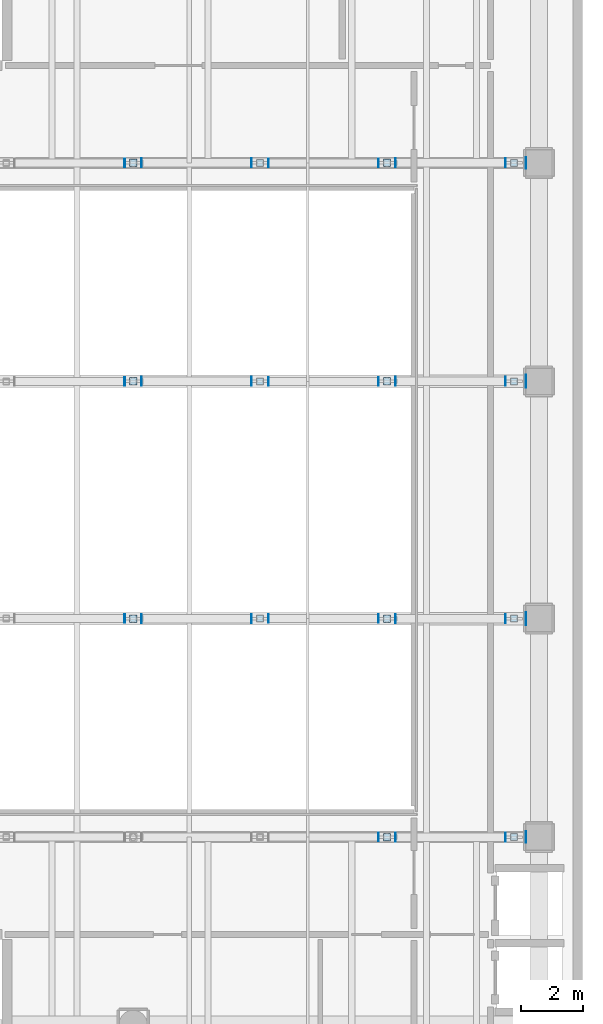
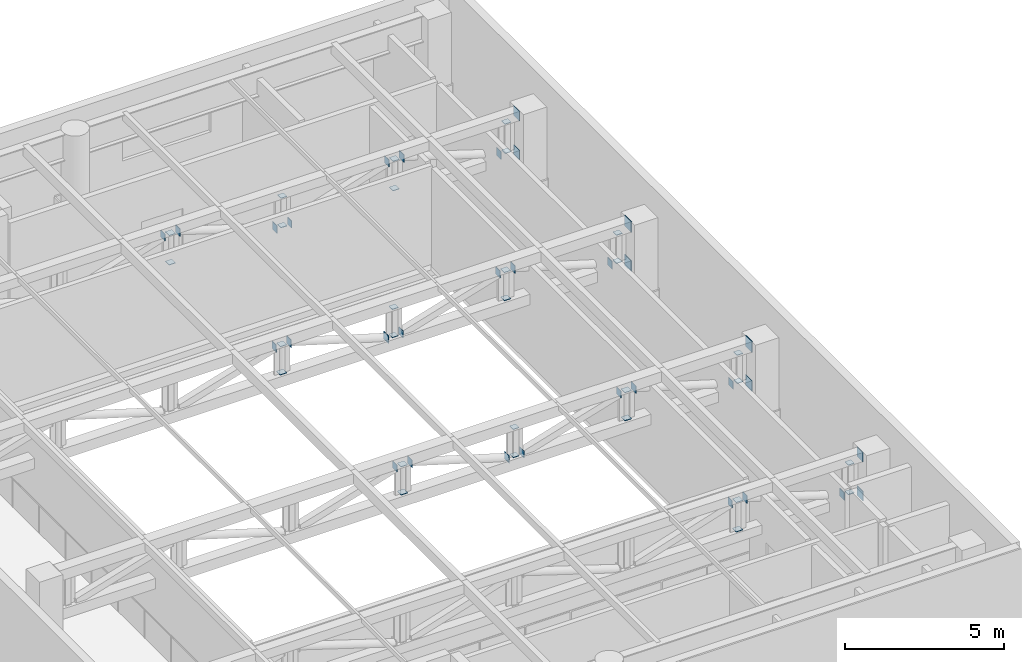
# One storey, part 17 of 25: 60 plates.
"""IFC4 building model written with IfcOpenShell, lengths in metres."""

from ifc_helpers import new_model, si_unit, direction, frame, origin, origin_2d, place, context, subcontext, project, spatial, rectangle, extrude, material, layer, layer_set, type_object, element, save


model = new_model("IFC4")

# Units and contexts
model_context = context("Model", 3, precision=1e-05, world=origin(), true_north=direction((0.0, 1.0)))
body_context = subcontext(model_context, "Body", "Model", "MODEL_VIEW")
ifc_project = project(units=[si_unit("LENGTHUNIT", "METRE"), si_unit("AREAUNIT", "SQUARE_METRE"), si_unit("VOLUMEUNIT", "CUBIC_METRE"), si_unit("PLANEANGLEUNIT", "RADIAN"), si_unit("MASSUNIT", "GRAM", prefix="KILO")], contexts=[model_context])

# Site, building, storey
site_placement = place(None, origin())
site = spatial("IfcSite", under=ifc_project, at=site_placement, CompositionType="ELEMENT")
building_placement = place(site_placement, origin())
building = spatial("IfcBuilding", under=site, at=building_placement, Name="Solanera Arch Residences", CompositionType="ELEMENT")
storey_placement = place(building_placement, frame((0.0, 0.0, 17.800048828125)))
storey = spatial("IfcBuildingStorey", under=building, at=storey_placement, Name="L04", CompositionType="ELEMENT", Elevation=17.800048828125)

# Plates
ifc_material = material(Name="Steel S355 (ASTM A992 / A572 Grade 50)", Category="steel")
ifc_layer = layer(ifc_material, 0.02001953125)
ifc_layer_set = layer_set([ifc_layer], Name="Steel S355 (ASTM A992 / A572 Grade 50)")
plate_type = type_object("IfcPlateType", Name="End Cap Plate EC-20", PredefinedType="USERDEFINED", material=ifc_layer_set)
for number, where, z_axis, x_axis, name in (
    (1, (81.385009765625, 19.800048828125, 3.81494140625), (0.0, 0.0, 1.0), (1.0, 0.0, 0.0), "Hollow Section End Cap 2"),
    (2, (81.385009765625, 19.800048828125, 2.31494140625), (0.0, 0.0, 1.0), (1.0, 0.0, 0.0), "Hollow Section End Cap 4"),
):
    element("IfcPlate", number, at=place(storey_placement, frame(where, z_axis=z_axis, x_axis=x_axis)), inside=storey, type_object=plate_type, Name=name, ObjectType="STIFFENER", PredefinedType="USERDEFINED", context=body_context, shape_type="SweptSolid", body=[
        extrude(rectangle(XDim=0.02001953125, YDim=0.3701171875, at=origin_2d()), origin(), (0.0, 0.0, 1.0), 0.3701171875),
    ])
plate_1_placement = place(storey_placement, frame((76.6630859375, 19.800048828125, 3.6728515625), z_axis=(0.0, 0.0, 1.0), x_axis=(1.0, 0.0, 0.0)))
element("IfcPlate", 3, at=plate_1_placement, inside=storey, type_object=plate_type, Name="Hollow Section End Cap 24", ObjectType="STIFFENER", PredefinedType="USERDEFINED", context=body_context, shape_type="SweptSolid", body=[
    extrude(rectangle(XDim=0.02001953125, YDim=0.27001953125, at=origin_2d()), origin(), (0.0, 0.0, 1.0), 0.27001953125),
])
for number, where, z_axis, x_axis, name in (
    (4, (76.93310546875, 19.800048828125, 2.675048828125), (0.0, 0.0, 1.0), (1.0, 0.0, 0.0), "Hollow Section End Cap 25"),
    (5, (76.93310546875, 19.800048828125, 3.804931640625), (0.0, 0.0, 1.0), (1.0, 0.0, 0.0), "Hollow Section End Cap 26"),
):
    element("IfcPlate", number, at=place(storey_placement, frame(where, z_axis=z_axis, x_axis=x_axis)), inside=storey, type_object=plate_type, Name=name, ObjectType="STIFFENER", PredefinedType="USERDEFINED", context=body_context, shape_type="SweptSolid", body=[
        extrude(rectangle(XDim=0.239013671875, YDim=0.239013671875, at=origin_2d()), origin(), (0.0, 0.0, 1.0), 0.02001953125),
    ])
for number, where, z_axis, x_axis, name in (
    (6, (77.202880859375, 19.800048828125, 3.661376953125), (0.0, 0.0, 1.0), (-1.0, 0.0, 0.0), "Hollow Section End Cap 27"),
    (7, (80.72998046875, 19.800048828125, 2.54541015625), (0.0, 0.0, 1.0), (1.0, 0.0, 0.0), "Hollow Section End Cap 28"),
):
    element("IfcPlate", number, at=place(storey_placement, frame(where, z_axis=z_axis, x_axis=x_axis)), inside=storey, type_object=plate_type, Name=name, ObjectType="STIFFENER", PredefinedType="USERDEFINED", context=body_context, shape_type="SweptSolid", body=[
        extrude(rectangle(XDim=0.02001953125, YDim=0.29296875, at=origin_2d()), origin(), (0.0, 0.0, 1.0), 0.29296875),
    ])
for number, where, z_axis, x_axis, name in (
    (8, (81.0, 19.800048828125, 2.675048828125), (0.0, 0.0, 1.0), (1.0, 0.0, 0.0), "Hollow Section End Cap 29"),
    (9, (81.0, 19.800048828125, 3.804931640625), (0.0, 0.0, 1.0), (1.0, 0.0, 0.0), "Hollow Section End Cap 30"),
):
    element("IfcPlate", number, at=place(storey_placement, frame(where, z_axis=z_axis, x_axis=x_axis)), inside=storey, type_object=plate_type, Name=name, ObjectType="STIFFENER", PredefinedType="USERDEFINED", context=body_context, shape_type="SweptSolid", body=[
        extrude(rectangle(XDim=0.219970703125, YDim=0.219970703125, at=origin_2d()), origin(), (0.0, 0.0, 1.0), 0.02001953125),
    ])
for number, where, z_axis, x_axis, name in (
    (10, (81.385009765625, 26.800048828125, 3.7900390625), (0.0, 0.0, 1.0), (1.0, 0.0, 0.0), "Hollow Section End Cap 32"),
    (11, (81.385009765625, 26.800048828125, 2.2900390625), (0.0, 0.0, 1.0), (1.0, 0.0, 0.0), "Hollow Section End Cap 34"),
):
    element("IfcPlate", number, at=place(storey_placement, frame(where, z_axis=z_axis, x_axis=x_axis)), inside=storey, type_object=plate_type, Name=name, ObjectType="STIFFENER", PredefinedType="USERDEFINED", context=body_context, shape_type="SweptSolid", body=[
        extrude(rectangle(XDim=0.02001953125, YDim=0.419921875, at=origin_2d()), origin(), (0.0, 0.0, 1.0), 0.419921875),
    ])
plate_2_placement = place(storey_placement, frame((68.530029296875, 26.800048828125, 3.64794921875), z_axis=(0.0, 0.0, 1.0), x_axis=(1.0, 0.0, 0.0)))
element("IfcPlate", 12, at=plate_2_placement, inside=storey, type_object=plate_type, Name="Hollow Section End Cap 46", ObjectType="STIFFENER", PredefinedType="USERDEFINED", context=body_context, shape_type="SweptSolid", body=[
    extrude(rectangle(XDim=0.02001953125, YDim=0.27001953125, at=origin_2d()), origin(), (0.0, 0.0, 1.0), 0.27001953125),
])
for number, where, z_axis, x_axis, name in (
    (13, (68.800048828125, 26.800048828125, 2.699951171875), (0.0, 0.0, 1.0), (1.0, 0.0, 0.0), "Hollow Section End Cap 47"),
    (14, (68.800048828125, 26.800048828125, 3.780029296875), (0.0, 0.0, 1.0), (1.0, 0.0, 0.0), "Hollow Section End Cap 48"),
):
    element("IfcPlate", number, at=place(storey_placement, frame(where, z_axis=z_axis, x_axis=x_axis)), inside=storey, type_object=plate_type, Name=name, ObjectType="STIFFENER", PredefinedType="USERDEFINED", context=body_context, shape_type="SweptSolid", body=[
        extrude(rectangle(XDim=0.239013671875, YDim=0.239013671875, at=origin_2d()), origin(), (0.0, 0.0, 1.0), 0.02001953125),
    ])
for number, where, z_axis, x_axis, name in (
    (15, (69.070068359375, 26.800048828125, 3.636474609375), (0.0, 0.0, 1.0), (-1.0, 0.0, 0.0), "Hollow Section End Cap 49"),
    (16, (72.596923828125, 26.800048828125, 2.570556640625), (0.0, 0.0, 1.0), (1.0, 0.0, 0.0), "Hollow Section End Cap 50"),
):
    element("IfcPlate", number, at=place(storey_placement, frame(where, z_axis=z_axis, x_axis=x_axis)), inside=storey, type_object=plate_type, Name=name, ObjectType="STIFFENER", PredefinedType="USERDEFINED", context=body_context, shape_type="SweptSolid", body=[
        extrude(rectangle(XDim=0.02001953125, YDim=0.29296875, at=origin_2d()), origin(), (0.0, 0.0, 1.0), 0.29296875),
    ])
for number, where, z_axis, x_axis, name in (
    (17, (72.866943359375, 26.800048828125, 2.699951171875), (0.0, 0.0, 1.0), (1.0, 0.0, 0.0), "Hollow Section End Cap 51"),
    (18, (72.866943359375, 26.800048828125, 3.780029296875), (0.0, 0.0, 1.0), (1.0, 0.0, 0.0), "Hollow Section End Cap 52"),
):
    element("IfcPlate", number, at=place(storey_placement, frame(where, z_axis=z_axis, x_axis=x_axis)), inside=storey, type_object=plate_type, Name=name, ObjectType="STIFFENER", PredefinedType="USERDEFINED", context=body_context, shape_type="SweptSolid", body=[
        extrude(rectangle(XDim=0.219970703125, YDim=0.219970703125, at=origin_2d()), origin(), (0.0, 0.0, 1.0), 0.02001953125),
    ])
for number, where, z_axis, x_axis, name in (
    (19, (73.136962890625, 26.800048828125, 2.58203125), (0.0, 0.0, 1.0), (-1.0, 0.0, 0.0), "Hollow Section End Cap 53"),
    (20, (76.6630859375, 26.800048828125, 3.64794921875), (0.0, 0.0, 1.0), (1.0, 0.0, 0.0), "Hollow Section End Cap 54"),
):
    element("IfcPlate", number, at=place(storey_placement, frame(where, z_axis=z_axis, x_axis=x_axis)), inside=storey, type_object=plate_type, Name=name, ObjectType="STIFFENER", PredefinedType="USERDEFINED", context=body_context, shape_type="SweptSolid", body=[
        extrude(rectangle(XDim=0.02001953125, YDim=0.27001953125, at=origin_2d()), origin(), (0.0, 0.0, 1.0), 0.27001953125),
    ])
for number, where, z_axis, x_axis, name in (
    (21, (76.93310546875, 26.800048828125, 2.699951171875), (0.0, 0.0, 1.0), (1.0, 0.0, 0.0), "Hollow Section End Cap 55"),
    (22, (76.93310546875, 26.800048828125, 3.780029296875), (0.0, 0.0, 1.0), (1.0, 0.0, 0.0), "Hollow Section End Cap 56"),
):
    element("IfcPlate", number, at=place(storey_placement, frame(where, z_axis=z_axis, x_axis=x_axis)), inside=storey, type_object=plate_type, Name=name, ObjectType="STIFFENER", PredefinedType="USERDEFINED", context=body_context, shape_type="SweptSolid", body=[
        extrude(rectangle(XDim=0.239013671875, YDim=0.239013671875, at=origin_2d()), origin(), (0.0, 0.0, 1.0), 0.02001953125),
    ])
for number, where, z_axis, x_axis, name in (
    (23, (77.202880859375, 26.800048828125, 3.636474609375), (0.0, 0.0, 1.0), (-1.0, 0.0, 0.0), "Hollow Section End Cap 57"),
    (24, (80.72998046875, 26.800048828125, 2.570556640625), (0.0, 0.0, 1.0), (1.0, 0.0, 0.0), "Hollow Section End Cap 58"),
):
    element("IfcPlate", number, at=place(storey_placement, frame(where, z_axis=z_axis, x_axis=x_axis)), inside=storey, type_object=plate_type, Name=name, ObjectType="STIFFENER", PredefinedType="USERDEFINED", context=body_context, shape_type="SweptSolid", body=[
        extrude(rectangle(XDim=0.02001953125, YDim=0.29296875, at=origin_2d()), origin(), (0.0, 0.0, 1.0), 0.29296875),
    ])
for number, where, z_axis, x_axis, name in (
    (25, (81.0, 26.800048828125, 2.699951171875), (0.0, 0.0, 1.0), (1.0, 0.0, 0.0), "Hollow Section End Cap 59"),
    (26, (81.0, 26.800048828125, 3.780029296875), (0.0, 0.0, 1.0), (1.0, 0.0, 0.0), "Hollow Section End Cap 60"),
):
    element("IfcPlate", number, at=place(storey_placement, frame(where, z_axis=z_axis, x_axis=x_axis)), inside=storey, type_object=plate_type, Name=name, ObjectType="STIFFENER", PredefinedType="USERDEFINED", context=body_context, shape_type="SweptSolid", body=[
        extrude(rectangle(XDim=0.219970703125, YDim=0.219970703125, at=origin_2d()), origin(), (0.0, 0.0, 1.0), 0.02001953125),
    ])
for number, where, z_axis, x_axis, name in (
    (27, (81.385009765625, 34.39990234375, 3.7900390625), (0.0, 0.0, 1.0), (1.0, 0.0, 0.0), "Hollow Section End Cap 62"),
    (28, (81.385009765625, 34.39990234375, 2.2900390625), (0.0, 0.0, 1.0), (1.0, 0.0, 0.0), "Hollow Section End Cap 64"),
):
    element("IfcPlate", number, at=place(storey_placement, frame(where, z_axis=z_axis, x_axis=x_axis)), inside=storey, type_object=plate_type, Name=name, ObjectType="STIFFENER", PredefinedType="USERDEFINED", context=body_context, shape_type="SweptSolid", body=[
        extrude(rectangle(XDim=0.02001953125, YDim=0.419921875, at=origin_2d()), origin(), (0.0, 0.0, 1.0), 0.419921875),
    ])
plate_3_placement = place(storey_placement, frame((68.530029296875, 34.39990234375, 3.64794921875), z_axis=(0.0, 0.0, 1.0), x_axis=(1.0, 0.0, 0.0)))
element("IfcPlate", 29, at=plate_3_placement, inside=storey, type_object=plate_type, Name="Hollow Section End Cap 76", ObjectType="STIFFENER", PredefinedType="USERDEFINED", context=body_context, shape_type="SweptSolid", body=[
    extrude(rectangle(XDim=0.02001953125, YDim=0.27001953125, at=origin_2d()), origin(), (0.0, 0.0, 1.0), 0.27001953125),
])
for number, where, z_axis, x_axis, name in (
    (30, (68.800048828125, 34.39990234375, 2.699951171875), (0.0, 0.0, 1.0), (1.0, 0.0, 0.0), "Hollow Section End Cap 77"),
    (31, (68.800048828125, 34.39990234375, 3.780029296875), (0.0, 0.0, 1.0), (1.0, 0.0, 0.0), "Hollow Section End Cap 78"),
):
    element("IfcPlate", number, at=place(storey_placement, frame(where, z_axis=z_axis, x_axis=x_axis)), inside=storey, type_object=plate_type, Name=name, ObjectType="STIFFENER", PredefinedType="USERDEFINED", context=body_context, shape_type="SweptSolid", body=[
        extrude(rectangle(XDim=0.239013671875, YDim=0.239013671875, at=origin_2d()), origin(), (0.0, 0.0, 1.0), 0.02001953125),
    ])
for number, where, z_axis, x_axis, name in (
    (32, (69.070068359375, 34.39990234375, 3.636474609375), (0.0, 0.0, 1.0), (-1.0, 0.0, 0.0), "Hollow Section End Cap 79"),
    (33, (72.596923828125, 34.39990234375, 2.570556640625), (0.0, 0.0, 1.0), (1.0, 0.0, 0.0), "Hollow Section End Cap 80"),
):
    element("IfcPlate", number, at=place(storey_placement, frame(where, z_axis=z_axis, x_axis=x_axis)), inside=storey, type_object=plate_type, Name=name, ObjectType="STIFFENER", PredefinedType="USERDEFINED", context=body_context, shape_type="SweptSolid", body=[
        extrude(rectangle(XDim=0.02001953125, YDim=0.29296875, at=origin_2d()), origin(), (0.0, 0.0, 1.0), 0.29296875),
    ])
for number, where, z_axis, x_axis, name in (
    (34, (72.866943359375, 34.39990234375, 2.699951171875), (0.0, 0.0, 1.0), (1.0, 0.0, 0.0), "Hollow Section End Cap 81"),
    (35, (72.866943359375, 34.39990234375, 3.780029296875), (0.0, 0.0, 1.0), (1.0, 0.0, 0.0), "Hollow Section End Cap 82"),
):
    element("IfcPlate", number, at=place(storey_placement, frame(where, z_axis=z_axis, x_axis=x_axis)), inside=storey, type_object=plate_type, Name=name, ObjectType="STIFFENER", PredefinedType="USERDEFINED", context=body_context, shape_type="SweptSolid", body=[
        extrude(rectangle(XDim=0.219970703125, YDim=0.219970703125, at=origin_2d()), origin(), (0.0, 0.0, 1.0), 0.02001953125),
    ])
for number, where, z_axis, x_axis, name in (
    (36, (73.136962890625, 34.39990234375, 2.58203125), (0.0, 0.0, 1.0), (-1.0, 0.0, 0.0), "Hollow Section End Cap 83"),
    (37, (76.6630859375, 34.39990234375, 3.64794921875), (0.0, 0.0, 1.0), (1.0, 0.0, 0.0), "Hollow Section End Cap 84"),
):
    element("IfcPlate", number, at=place(storey_placement, frame(where, z_axis=z_axis, x_axis=x_axis)), inside=storey, type_object=plate_type, Name=name, ObjectType="STIFFENER", PredefinedType="USERDEFINED", context=body_context, shape_type="SweptSolid", body=[
        extrude(rectangle(XDim=0.02001953125, YDim=0.27001953125, at=origin_2d()), origin(), (0.0, 0.0, 1.0), 0.27001953125),
    ])
for number, where, z_axis, x_axis, name in (
    (38, (76.93310546875, 34.39990234375, 2.699951171875), (0.0, 0.0, 1.0), (1.0, 0.0, 0.0), "Hollow Section End Cap 85"),
    (39, (76.93310546875, 34.39990234375, 3.780029296875), (0.0, 0.0, 1.0), (1.0, 0.0, 0.0), "Hollow Section End Cap 86"),
):
    element("IfcPlate", number, at=place(storey_placement, frame(where, z_axis=z_axis, x_axis=x_axis)), inside=storey, type_object=plate_type, Name=name, ObjectType="STIFFENER", PredefinedType="USERDEFINED", context=body_context, shape_type="SweptSolid", body=[
        extrude(rectangle(XDim=0.239013671875, YDim=0.239013671875, at=origin_2d()), origin(), (0.0, 0.0, 1.0), 0.02001953125),
    ])
for number, where, z_axis, x_axis, name in (
    (40, (77.202880859375, 34.39990234375, 3.636474609375), (0.0, 0.0, 1.0), (-1.0, 0.0, 0.0), "Hollow Section End Cap 87"),
    (41, (80.72998046875, 34.39990234375, 2.570556640625), (0.0, 0.0, 1.0), (1.0, 0.0, 0.0), "Hollow Section End Cap 88"),
):
    element("IfcPlate", number, at=place(storey_placement, frame(where, z_axis=z_axis, x_axis=x_axis)), inside=storey, type_object=plate_type, Name=name, ObjectType="STIFFENER", PredefinedType="USERDEFINED", context=body_context, shape_type="SweptSolid", body=[
        extrude(rectangle(XDim=0.02001953125, YDim=0.29296875, at=origin_2d()), origin(), (0.0, 0.0, 1.0), 0.29296875),
    ])
for number, where, z_axis, x_axis, name in (
    (42, (81.0, 34.39990234375, 2.699951171875), (0.0, 0.0, 1.0), (1.0, 0.0, 0.0), "Hollow Section End Cap 89"),
    (43, (81.0, 34.39990234375, 3.780029296875), (0.0, 0.0, 1.0), (1.0, 0.0, 0.0), "Hollow Section End Cap 90"),
):
    element("IfcPlate", number, at=place(storey_placement, frame(where, z_axis=z_axis, x_axis=x_axis)), inside=storey, type_object=plate_type, Name=name, ObjectType="STIFFENER", PredefinedType="USERDEFINED", context=body_context, shape_type="SweptSolid", body=[
        extrude(rectangle(XDim=0.219970703125, YDim=0.219970703125, at=origin_2d()), origin(), (0.0, 0.0, 1.0), 0.02001953125),
    ])
for number, where, z_axis, x_axis, name in (
    (44, (81.385009765625, 41.39990234375, 3.81494140625), (0.0, 0.0, 1.0), (1.0, 0.0, 0.0), "Hollow Section End Cap 92"),
    (45, (81.385009765625, 41.39990234375, 2.31494140625), (0.0, 0.0, 1.0), (1.0, 0.0, 0.0), "Hollow Section End Cap 94"),
):
    element("IfcPlate", number, at=place(storey_placement, frame(where, z_axis=z_axis, x_axis=x_axis)), inside=storey, type_object=plate_type, Name=name, ObjectType="STIFFENER", PredefinedType="USERDEFINED", context=body_context, shape_type="SweptSolid", body=[
        extrude(rectangle(XDim=0.02001953125, YDim=0.3701171875, at=origin_2d()), origin(), (0.0, 0.0, 1.0), 0.3701171875),
    ])
plate_4_placement = place(storey_placement, frame((68.530029296875, 41.39990234375, 3.6728515625), z_axis=(0.0, 0.0, 1.0), x_axis=(1.0, 0.0, 0.0)))
element("IfcPlate", 46, at=plate_4_placement, inside=storey, type_object=plate_type, Name="Hollow Section End Cap 106", ObjectType="STIFFENER", PredefinedType="USERDEFINED", context=body_context, shape_type="SweptSolid", body=[
    extrude(rectangle(XDim=0.02001953125, YDim=0.27001953125, at=origin_2d()), origin(), (0.0, 0.0, 1.0), 0.27001953125),
])
for number, where, z_axis, x_axis, name in (
    (47, (68.800048828125, 41.39990234375, 2.675048828125), (0.0, 0.0, 1.0), (1.0, 0.0, 0.0), "Hollow Section End Cap 107"),
    (48, (68.800048828125, 41.39990234375, 3.804931640625), (0.0, 0.0, 1.0), (1.0, 0.0, 0.0), "Hollow Section End Cap 108"),
):
    element("IfcPlate", number, at=place(storey_placement, frame(where, z_axis=z_axis, x_axis=x_axis)), inside=storey, type_object=plate_type, Name=name, ObjectType="STIFFENER", PredefinedType="USERDEFINED", context=body_context, shape_type="SweptSolid", body=[
        extrude(rectangle(XDim=0.239013671875, YDim=0.239013671875, at=origin_2d()), origin(), (0.0, 0.0, 1.0), 0.02001953125),
    ])
for number, where, z_axis, x_axis, name in (
    (49, (69.070068359375, 41.39990234375, 3.661376953125), (0.0, 0.0, 1.0), (-1.0, 0.0, 0.0), "Hollow Section End Cap 109"),
    (50, (72.596923828125, 41.39990234375, 2.54541015625), (0.0, 0.0, 1.0), (1.0, 0.0, 0.0), "Hollow Section End Cap 110"),
):
    element("IfcPlate", number, at=place(storey_placement, frame(where, z_axis=z_axis, x_axis=x_axis)), inside=storey, type_object=plate_type, Name=name, ObjectType="STIFFENER", PredefinedType="USERDEFINED", context=body_context, shape_type="SweptSolid", body=[
        extrude(rectangle(XDim=0.02001953125, YDim=0.29296875, at=origin_2d()), origin(), (0.0, 0.0, 1.0), 0.29296875),
    ])
for number, where, z_axis, x_axis, name in (
    (51, (72.866943359375, 41.39990234375, 2.675048828125), (0.0, 0.0, 1.0), (1.0, 0.0, 0.0), "Hollow Section End Cap 111"),
    (52, (72.866943359375, 41.39990234375, 3.804931640625), (0.0, 0.0, 1.0), (1.0, 0.0, 0.0), "Hollow Section End Cap 112"),
):
    element("IfcPlate", number, at=place(storey_placement, frame(where, z_axis=z_axis, x_axis=x_axis)), inside=storey, type_object=plate_type, Name=name, ObjectType="STIFFENER", PredefinedType="USERDEFINED", context=body_context, shape_type="SweptSolid", body=[
        extrude(rectangle(XDim=0.219970703125, YDim=0.219970703125, at=origin_2d()), origin(), (0.0, 0.0, 1.0), 0.02001953125),
    ])
for number, where, z_axis, x_axis, name in (
    (53, (73.136962890625, 41.39990234375, 2.556884765625), (0.0, 0.0, 1.0), (-1.0, 0.0, 0.0), "Hollow Section End Cap 113"),
    (54, (76.6630859375, 41.39990234375, 3.6728515625), (0.0, 0.0, 1.0), (1.0, 0.0, 0.0), "Hollow Section End Cap 114"),
):
    element("IfcPlate", number, at=place(storey_placement, frame(where, z_axis=z_axis, x_axis=x_axis)), inside=storey, type_object=plate_type, Name=name, ObjectType="STIFFENER", PredefinedType="USERDEFINED", context=body_context, shape_type="SweptSolid", body=[
        extrude(rectangle(XDim=0.02001953125, YDim=0.27001953125, at=origin_2d()), origin(), (0.0, 0.0, 1.0), 0.27001953125),
    ])
for number, where, z_axis, x_axis, name in (
    (55, (76.93310546875, 41.39990234375, 2.675048828125), (0.0, 0.0, 1.0), (1.0, 0.0, 0.0), "Hollow Section End Cap 115"),
    (56, (76.93310546875, 41.39990234375, 3.804931640625), (0.0, 0.0, 1.0), (1.0, 0.0, 0.0), "Hollow Section End Cap 116"),
):
    element("IfcPlate", number, at=place(storey_placement, frame(where, z_axis=z_axis, x_axis=x_axis)), inside=storey, type_object=plate_type, Name=name, ObjectType="STIFFENER", PredefinedType="USERDEFINED", context=body_context, shape_type="SweptSolid", body=[
        extrude(rectangle(XDim=0.239013671875, YDim=0.239013671875, at=origin_2d()), origin(), (0.0, 0.0, 1.0), 0.02001953125),
    ])
for number, where, z_axis, x_axis, name in (
    (57, (77.202880859375, 41.39990234375, 3.661376953125), (0.0, 0.0, 1.0), (-1.0, 0.0, 0.0), "Hollow Section End Cap 117"),
    (58, (80.72998046875, 41.39990234375, 2.54541015625), (0.0, 0.0, 1.0), (1.0, 0.0, 0.0), "Hollow Section End Cap 118"),
):
    element("IfcPlate", number, at=place(storey_placement, frame(where, z_axis=z_axis, x_axis=x_axis)), inside=storey, type_object=plate_type, Name=name, ObjectType="STIFFENER", PredefinedType="USERDEFINED", context=body_context, shape_type="SweptSolid", body=[
        extrude(rectangle(XDim=0.02001953125, YDim=0.29296875, at=origin_2d()), origin(), (0.0, 0.0, 1.0), 0.29296875),
    ])
for number, where, z_axis, x_axis, name in (
    (59, (81.0, 41.39990234375, 2.675048828125), (0.0, 0.0, 1.0), (1.0, 0.0, 0.0), "Hollow Section End Cap 119"),
    (60, (81.0, 41.39990234375, 3.804931640625), (0.0, 0.0, 1.0), (1.0, 0.0, 0.0), "Hollow Section End Cap 120"),
):
    element("IfcPlate", number, at=place(storey_placement, frame(where, z_axis=z_axis, x_axis=x_axis)), inside=storey, type_object=plate_type, Name=name, ObjectType="STIFFENER", PredefinedType="USERDEFINED", context=body_context, shape_type="SweptSolid", body=[
        extrude(rectangle(XDim=0.219970703125, YDim=0.219970703125, at=origin_2d()), origin(), (0.0, 0.0, 1.0), 0.02001953125),
    ])

save(model, "model.ifc")
